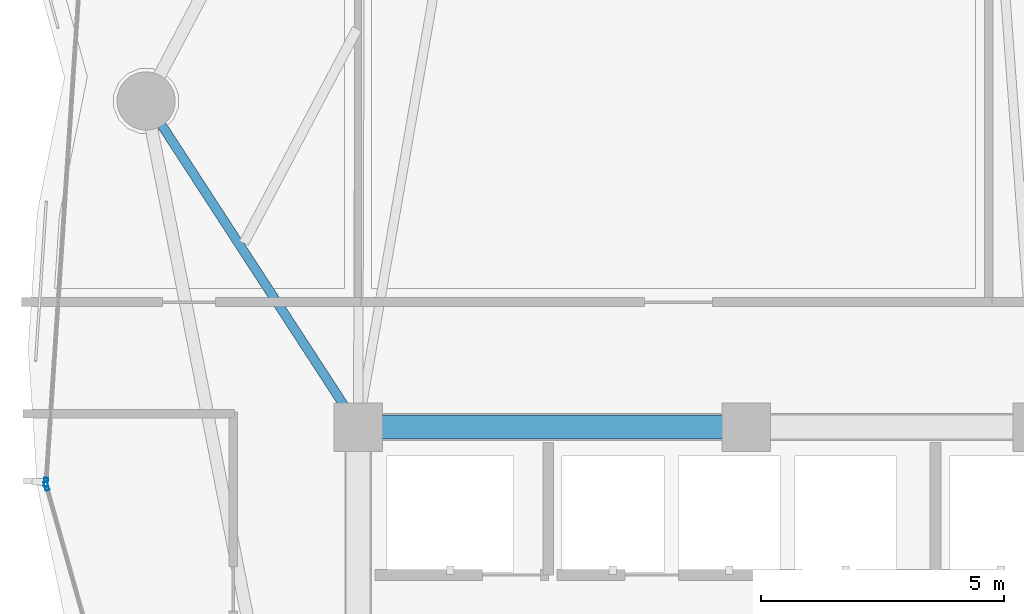
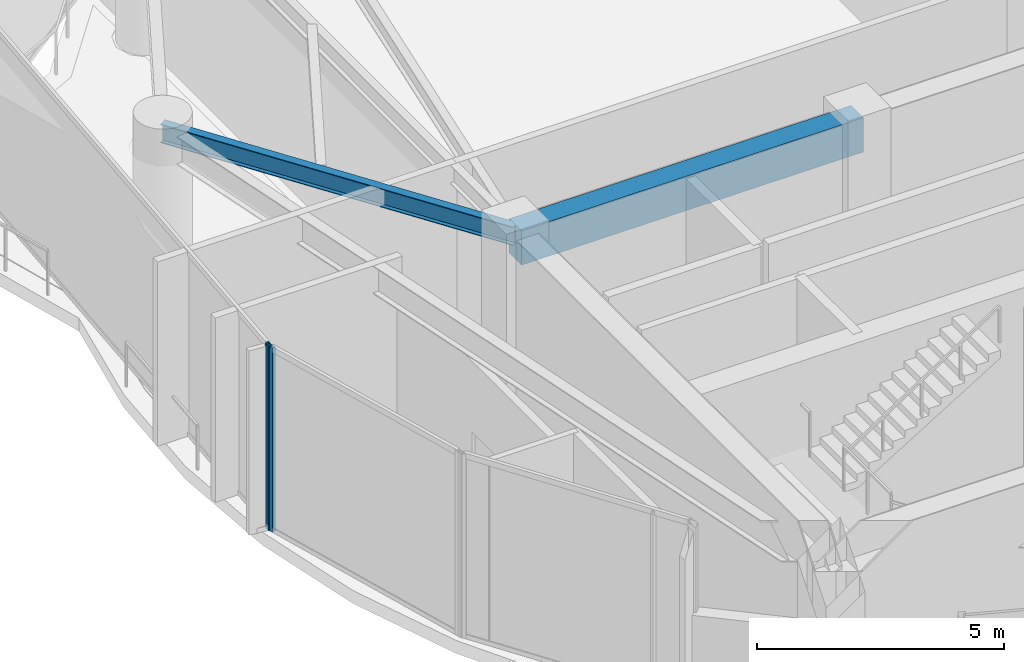
# One storey, part 7 of 30: 2 beams, 2 members, 2 elements without a shape of their own.
"""IFC4 building model written with IfcOpenShell, lengths in metres."""

from ifc_helpers import new_model, si_unit, direction, frame, origin, origin_2d, place, context, subcontext, project, spatial, rectangle, hollow_rectangle, i_section, extrude, material, layer, layer_set, material_profile, profile_set, type_object, element, aggregate, save


model = new_model("IFC4")

# Units and contexts
model_context = context("Model", 3, precision=1e-05, world=origin(), true_north=direction((0.0, 1.0)))
body_context = subcontext(model_context, "Body", "Model", "MODEL_VIEW")
ifc_project = project(units=[si_unit("LENGTHUNIT", "METRE"), si_unit("AREAUNIT", "SQUARE_METRE"), si_unit("VOLUMEUNIT", "CUBIC_METRE"), si_unit("PLANEANGLEUNIT", "RADIAN"), si_unit("MASSUNIT", "GRAM", prefix="KILO")], contexts=[model_context])

# Site, building, storey
site_placement = place(None, origin())
site = spatial("IfcSite", under=ifc_project, at=site_placement, CompositionType="ELEMENT")
building_placement = place(site_placement, origin())
building = spatial("IfcBuilding", under=site, at=building_placement, Name="Kazevale Care Tower and Concert Hall", CompositionType="ELEMENT")
storey_placement = place(building_placement, frame((0.0, 0.0, 97.800048828125)))
storey = spatial("IfcBuildingStorey", under=building, at=storey_placement, Name="L25", CompositionType="ELEMENT", Elevation=97.800048828125)

# Curtain wall, member
ifc_material_1 = material(Name="Aluminium 6063-T6 and Low-E Glass", Category="aluminium")
ifc_layer = layer(ifc_material_1, 0.179931640625)
ifc_layer_set = layer_set([ifc_layer], Name="Aluminium 6063-T6 and Low-E Glass")
curtain_wall_type = type_object("IfcCurtainWallType", Name="Waist & Upper Residential Curtain Wall CW-4", PredefinedType="NOTDEFINED", material=ifc_layer_set)
curtain_wall_1_placement = place(storey_placement, origin())
curtain_wall_1 = element("IfcCurtainWall", 1, at=curtain_wall_1_placement, inside=storey, type_object=curtain_wall_type, Name="cw:L25:f12", PredefinedType="NOTDEFINED")
ifc_material_2 = material(Name="Aluminium 6063-T6", Category="aluminium")
ifc_material_profile_1 = material_profile(ifc_material_2, hollow_rectangle(XDim=0.080078125, YDim=0.179931640625, WallThickness=0.0048828125, at=origin_2d()), Name="ALU80x180x5")
ifc_profile_set_1 = profile_set([ifc_material_profile_1], Name="Aluminium 6063-T6")
member_type = type_object("IfcMemberType", Name="CW-4 Mullion ALU80x180x5", PredefinedType="MULLION", material=ifc_profile_set_1)
member_1_placement = place(storey_placement, frame((15.576904296875, 35.18359375, 0.0), z_axis=(0.0, 0.0, 1.0), x_axis=(-0.962499078876, -0.271284948278, 0.0)))
member_1 = element("IfcMember", 2, at=member_1_placement, type_object=member_type, Name="CW-4 mullion 2", PredefinedType="MULLION", context=body_context, shape_type="SweptSolid", body=[
    extrude(hollow_rectangle(XDim=0.080078125, YDim=0.179931640625, WallThickness=0.0048828125, at=origin_2d()), origin(), (0.0, 0.0, 1.0), 4.56005859375),
])
aggregate(curtain_wall_1, [member_1])

curtain_wall_2_placement = place(storey_placement, origin())
curtain_wall_2 = element("IfcCurtainWall", 3, at=curtain_wall_2_placement, inside=storey, type_object=curtain_wall_type, Name="cw:L25:f13", PredefinedType="NOTDEFINED")
member_2_placement = place(storey_placement, frame((15.568603515625, 35.261962890625, 0.0), z_axis=(0.0, 0.0, 1.0), x_axis=(-0.997778418439, 0.06662002475, 0.0)))
member_2 = element("IfcMember", 4, at=member_2_placement, type_object=member_type, Name="CW-4 mullion 1", PredefinedType="MULLION", context=body_context, shape_type="SweptSolid", body=[
    extrude(hollow_rectangle(XDim=0.080078125, YDim=0.179931640625, WallThickness=0.0048828125, at=origin_2d()), origin(), (0.0, 0.0, 1.0), 4.56005859375),
])
aggregate(curtain_wall_2, [member_2])

# Beams
ifc_material_3 = material(Name="Concrete C60", Category="concrete")
ifc_material_profile_2 = material_profile(ifc_material_3, rectangle(XDim=0.5, YDim=0.85009765625, at=origin_2d()), Name="RC-B500x850")
ifc_profile_set_2 = profile_set([ifc_material_profile_2], Name="Concrete C60")
beam_type_1 = type_object("IfcBeamType", Name="Core Coupling Beam RC500x850", PredefinedType="LINTEL", material=ifc_profile_set_2)
beam_1_placement = place(storey_placement, frame((30.0, 36.39990234375, 4.135009765625), z_axis=(-1.0, 0.0, 0.0), x_axis=(0.0, -1.0, 0.0)))
element("IfcBeam", 5, at=beam_1_placement, inside=storey, type_object=beam_type_1, Name="beam:L25:coretie:7", PredefinedType="LINTEL", context=body_context, shape_type="SweptSolid", body=[
    extrude(rectangle(XDim=0.5, YDim=0.85009765625, at=origin_2d()), origin(), (0.0, 0.0, 1.0), 8.0),
])
ifc_material_4 = material(Name="Steel ASTM A572 Gr 50", Category="steel")
ifc_material_profile_3 = material_profile(ifc_material_4, i_section(OverallWidth=0.19091796875, OverallDepth=0.4599609375, WebThickness=0.010009765625, FlangeThickness=0.01611328125, at=origin_2d()), Name="W460x82")
ifc_profile_set_3 = profile_set([ifc_material_profile_3], Name="Steel ASTM A572 Gr 50")
beam_type_2 = type_object("IfcBeamType", Name="Radial Floor Beam W460x82", PredefinedType="BEAM", material=ifc_profile_set_3)
beam_2_placement = place(storey_placement, frame((22.0, 36.39990234375, 4.329833984375), z_axis=(-0.5451617613, 0.83833087383, 0.0), x_axis=(-0.83833087383, -0.5451617613, 0.0)))
element("IfcBeam", 6, at=beam_2_placement, inside=storey, type_object=beam_type_2, Name="beam:L25:rad:09", PredefinedType="BEAM", context=body_context, shape_type="SweptSolid", body=[
    extrude(i_section(OverallWidth=0.19091796875, OverallDepth=0.4599609375, WebThickness=0.010009765625, FlangeThickness=0.01611328125, at=origin_2d()), origin(), (0.0, 0.0, 1.0), 8.01611328125),
])

save(model, "model.ifc")
